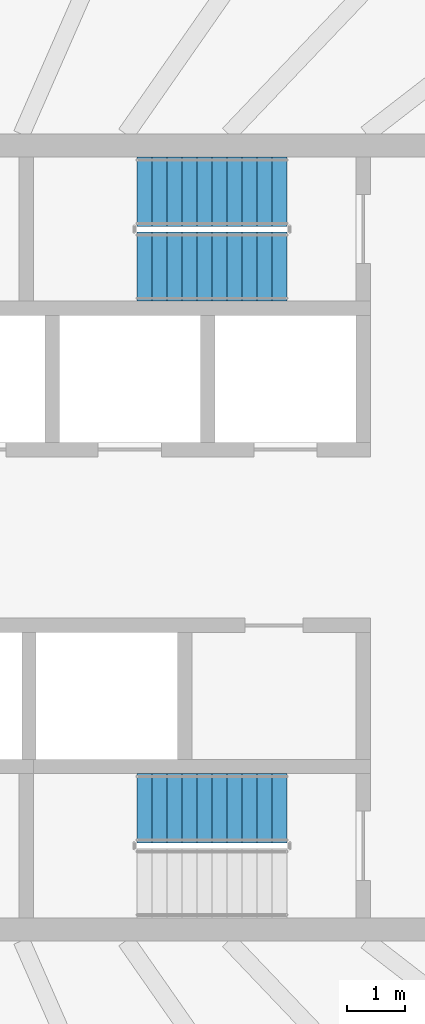
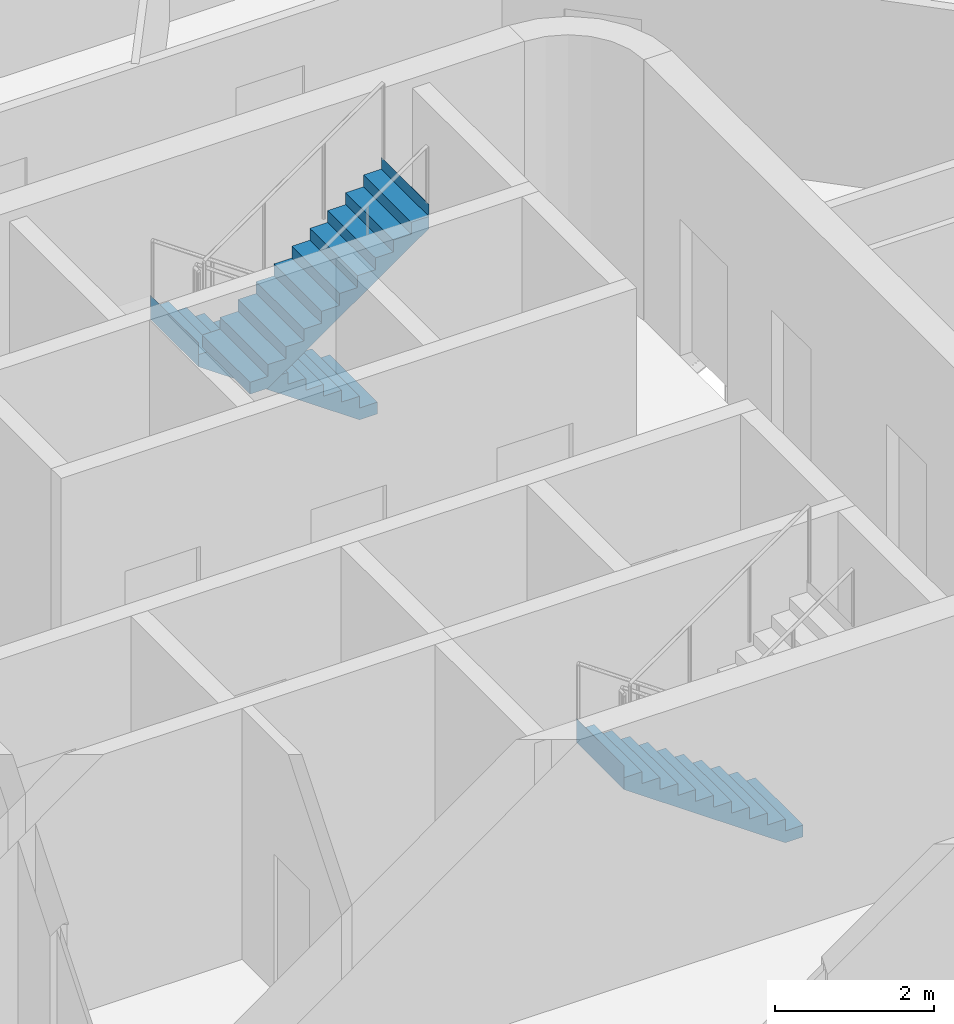
# One storey, part 15 of 20: 3 stair flights, 2 elements without a shape of their own.
"""IFC4 building model written with IfcOpenShell, lengths in metres."""

from ifc_helpers import new_model, si_unit, direction, frame, origin, place, context, subcontext, project, spatial, triangles, material, type_object, element, aggregate, save


model = new_model("IFC4")

# Units and contexts
model_context = context("Model", 3, precision=1e-05, world=origin(), true_north=direction((0.0, 1.0)))
body_context = subcontext(model_context, "Body", "Model", "MODEL_VIEW")
ifc_project = project(units=[si_unit("LENGTHUNIT", "METRE"), si_unit("AREAUNIT", "SQUARE_METRE"), si_unit("VOLUMEUNIT", "CUBIC_METRE"), si_unit("PLANEANGLEUNIT", "RADIAN"), si_unit("MASSUNIT", "GRAM", prefix="KILO")], contexts=[model_context])

# Site, building, storey
site_placement = place(None, origin())
site = spatial("IfcSite", under=ifc_project, at=site_placement, CompositionType="ELEMENT")
building_placement = place(site_placement, origin())
building = spatial("IfcBuilding", under=site, at=building_placement, Name="Sahrelin Media Tower", CompositionType="ELEMENT")
storey_placement = place(building_placement, frame((0.0, 0.0, 271.0)))
storey = spatial("IfcBuildingStorey", under=building, at=storey_placement, Name="L59", CompositionType="ELEMENT", Elevation=271.0)

# Stair, stair flights
ifc_material = material(Name="Concrete C40/50", Category="concrete")
stair_type = type_object("IfcStairType", Name="Exit stair 1200", PredefinedType="HALF_TURN_STAIR", material=ifc_material)
placement = place(storey_placement, origin())
stair_1 = element("IfcStair", 1, at=placement, inside=storey, type_object=stair_type, Name="L59 Exit stair ST3", PredefinedType="HALF_TURN_STAIR")
stair_flight_type = type_object("IfcStairFlightType", Name="Stair flight 1200", PredefinedType="STRAIGHT", material=ifc_material)
stair_flight_1_placement = place(storey_placement, frame((7.675048828125, 6.0, 0.0), z_axis=(0.0, 0.0, 1.0), x_axis=(-1.0, 0.0, 0.0)))
stair_flight_1 = element("IfcStairFlight", 2, at=stair_flight_1_placement, type_object=stair_flight_type, Name="ST3 flight 1", NumberOfRisers=11, NumberOfTreads=10, PredefinedType="STRAIGHT", RiserHeight=0.181818182, TreadLength=0.26, context=body_context, shape_type="Tessellation", body=[
    triangles([(0.261474609375, 0.60009765625, 0.0), (0.261474609375, 0.300048828125, 0.0), (0.261474609375, 0.0, 0.0), (0.261474609375, -0.300048828125, 0.0), (0.261474609375, -0.60009765625, 0.0), (2.60009765625, 0.60009765625, 1.63525390625), (2.60009765625, 0.300048828125, 1.63525390625), (2.60009765625, 0.0, 1.63525390625), (2.60009765625, -0.300048828125, 1.63525390625), (2.60009765625, -0.60009765625, 1.63525390625), (2.60009765625, 0.60009765625, 2.0), (2.60009765625, 0.300048828125, 2.0), (2.60009765625, 0.0, 2.0), (2.60009765625, -0.300048828125, 2.0), (2.60009765625, -0.60009765625, 2.0), (2.597900390625, 0.60009765625, 2.0), (2.597900390625, 0.300048828125, 2.0), (2.597900390625, 0.0, 2.0), (2.597900390625, -0.300048828125, 2.0), (2.597900390625, -0.60009765625, 2.0), (2.597900390625, 0.60009765625, 1.818115234375), (2.597900390625, 0.300048828125, 1.818115234375), (2.597900390625, 0.0, 1.818115234375), (2.597900390625, -0.300048828125, 1.818115234375), (2.597900390625, -0.60009765625, 1.818115234375), (2.340087890625, 0.60009765625, 1.818115234375), (2.340087890625, 0.300048828125, 1.818115234375), (2.340087890625, 0.0, 1.818115234375), (2.340087890625, -0.300048828125, 1.818115234375), (2.340087890625, -0.60009765625, 1.818115234375), (2.340087890625, 0.60009765625, 1.636474609375), (2.340087890625, 0.300048828125, 1.636474609375), (2.340087890625, 0.0, 1.636474609375), (2.340087890625, -0.300048828125, 1.636474609375), (2.340087890625, -0.60009765625, 1.636474609375), (2.080078125, 0.60009765625, 1.636474609375), (2.080078125, 0.300048828125, 1.636474609375), (2.080078125, 0.0, 1.636474609375), (2.080078125, -0.300048828125, 1.636474609375), (2.080078125, -0.60009765625, 1.636474609375), (2.080078125, 0.60009765625, 1.45458984375), (2.080078125, 0.300048828125, 1.45458984375), (2.080078125, 0.0, 1.45458984375), (2.080078125, -0.300048828125, 1.45458984375), (2.080078125, -0.60009765625, 1.45458984375), (1.820068359375, 0.60009765625, 1.45458984375), (1.820068359375, 0.300048828125, 1.45458984375), (1.820068359375, 0.0, 1.45458984375), (1.820068359375, -0.300048828125, 1.45458984375), (1.820068359375, -0.60009765625, 1.45458984375), (1.820068359375, 0.60009765625, 1.272705078125), (1.820068359375, 0.300048828125, 1.272705078125), (1.820068359375, 0.0, 1.272705078125), (1.820068359375, -0.300048828125, 1.272705078125), (1.820068359375, -0.60009765625, 1.272705078125), (1.56005859375, 0.60009765625, 1.272705078125), (1.56005859375, 0.300048828125, 1.272705078125), (1.56005859375, 0.0, 1.272705078125), (1.56005859375, -0.300048828125, 1.272705078125), (1.56005859375, -0.60009765625, 1.272705078125), (1.56005859375, 0.60009765625, 1.0908203125), (1.56005859375, 0.300048828125, 1.0908203125), (1.56005859375, 0.0, 1.0908203125), (1.56005859375, -0.300048828125, 1.0908203125), (1.56005859375, -0.60009765625, 1.0908203125), (1.300048828125, 0.60009765625, 1.0908203125), (1.300048828125, 0.300048828125, 1.0908203125), (1.300048828125, 0.0, 1.0908203125), (1.300048828125, -0.300048828125, 1.0908203125), (1.300048828125, -0.60009765625, 1.0908203125), (1.300048828125, 0.60009765625, 0.9091796875), (1.300048828125, 0.300048828125, 0.9091796875), (1.300048828125, 0.0, 0.9091796875), (1.300048828125, -0.300048828125, 0.9091796875), (1.300048828125, -0.60009765625, 0.9091796875), (1.0400390625, 0.60009765625, 0.9091796875), (1.0400390625, 0.300048828125, 0.9091796875), (1.0400390625, 0.0, 0.9091796875), (1.0400390625, -0.300048828125, 0.9091796875), (1.0400390625, -0.60009765625, 0.9091796875), (1.0400390625, 0.60009765625, 0.727294921875), (1.0400390625, 0.300048828125, 0.727294921875), (1.0400390625, 0.0, 0.727294921875), (1.0400390625, -0.300048828125, 0.727294921875), (1.0400390625, -0.60009765625, 0.727294921875), (0.780029296875, 0.60009765625, 0.727294921875), (0.780029296875, 0.300048828125, 0.727294921875), (0.780029296875, 0.0, 0.727294921875), (0.780029296875, -0.300048828125, 0.727294921875), (0.780029296875, -0.60009765625, 0.727294921875), (0.780029296875, 0.60009765625, 0.54541015625), (0.780029296875, 0.300048828125, 0.54541015625), (0.780029296875, 0.0, 0.54541015625), (0.780029296875, -0.300048828125, 0.54541015625), (0.780029296875, -0.60009765625, 0.54541015625), (0.52001953125, 0.60009765625, 0.54541015625), (0.52001953125, 0.300048828125, 0.54541015625), (0.52001953125, 0.0, 0.54541015625), (0.52001953125, -0.300048828125, 0.54541015625), (0.52001953125, -0.60009765625, 0.54541015625), (0.52001953125, 0.60009765625, 0.363525390625), (0.52001953125, 0.300048828125, 0.363525390625), (0.52001953125, 0.0, 0.363525390625), (0.52001953125, -0.300048828125, 0.363525390625), (0.52001953125, -0.60009765625, 0.363525390625), (0.260009765625, 0.60009765625, 0.363525390625), (0.260009765625, 0.300048828125, 0.363525390625), (0.260009765625, 0.0, 0.363525390625), (0.260009765625, -0.300048828125, 0.363525390625), (0.260009765625, -0.60009765625, 0.363525390625), (0.260009765625, 0.60009765625, 0.181884765625), (0.260009765625, 0.300048828125, 0.181884765625), (0.260009765625, 0.0, 0.181884765625), (0.260009765625, -0.300048828125, 0.181884765625), (0.260009765625, -0.60009765625, 0.181884765625), (0.0, 0.60009765625, 0.181884765625), (0.0, 0.300048828125, 0.181884765625), (0.0, 0.0, 0.181884765625), (0.0, -0.300048828125, 0.181884765625), (0.0, -0.60009765625, 0.181884765625), (0.0, 0.60009765625, 0.0), (0.0, 0.300048828125, 0.0), (0.0, 0.0, 0.0), (0.0, -0.300048828125, 0.0), (0.0, -0.60009765625, 0.0)], [[1, 6, 7], [1, 7, 2], [2, 7, 8], [2, 8, 3], [3, 8, 9], [3, 9, 4], [4, 9, 10], [4, 10, 5], [6, 11, 12], [6, 12, 7], [7, 12, 13], [7, 13, 8], [8, 13, 14], [8, 14, 9], [9, 14, 15], [9, 15, 10], [11, 16, 17], [11, 17, 12], [12, 17, 18], [12, 18, 13], [13, 18, 19], [13, 19, 14], [14, 19, 20], [14, 20, 15], [16, 21, 22], [16, 22, 17], [17, 22, 23], [17, 23, 18], [18, 23, 24], [18, 24, 19], [19, 24, 25], [19, 25, 20], [21, 26, 27], [21, 27, 22], [22, 27, 28], [22, 28, 23], [23, 28, 29], [23, 29, 24], [24, 29, 30], [24, 30, 25], [26, 31, 32], [26, 32, 27], [27, 32, 33], [27, 33, 28], [28, 33, 34], [28, 34, 29], [29, 34, 35], [29, 35, 30], [31, 36, 37], [31, 37, 32], [32, 37, 38], [32, 38, 33], [33, 38, 39], [33, 39, 34], [34, 39, 40], [34, 40, 35], [36, 41, 42], [36, 42, 37], [37, 42, 43], [37, 43, 38], [38, 43, 44], [38, 44, 39], [39, 44, 45], [39, 45, 40], [41, 46, 47], [41, 47, 42], [42, 47, 48], [42, 48, 43], [43, 48, 49], [43, 49, 44], [44, 49, 50], [44, 50, 45], [46, 51, 52], [46, 52, 47], [47, 52, 53], [47, 53, 48], [48, 53, 54], [48, 54, 49], [49, 54, 55], [49, 55, 50], [51, 56, 57], [51, 57, 52], [52, 57, 58], [52, 58, 53], [53, 58, 59], [53, 59, 54], [54, 59, 60], [54, 60, 55], [56, 61, 62], [56, 62, 57], [57, 62, 63], [57, 63, 58], [58, 63, 64], [58, 64, 59], [59, 64, 65], [59, 65, 60], [61, 66, 67], [61, 67, 62], [62, 67, 68], [62, 68, 63], [63, 68, 69], [63, 69, 64], [64, 69, 70], [64, 70, 65], [66, 71, 72], [66, 72, 67], [67, 72, 73], [67, 73, 68], [68, 73, 74], [68, 74, 69], [69, 74, 75], [69, 75, 70], [71, 76, 77], [71, 77, 72], [72, 77, 78], [72, 78, 73], [73, 78, 79], [73, 79, 74], [74, 79, 80], [74, 80, 75], [76, 81, 82], [76, 82, 77], [77, 82, 83], [77, 83, 78], [78, 83, 84], [78, 84, 79], [79, 84, 85], [79, 85, 80], [81, 86, 87], [81, 87, 82], [82, 87, 88], [82, 88, 83], [83, 88, 89], [83, 89, 84], [84, 89, 90], [84, 90, 85], [86, 91, 92], [86, 92, 87], [87, 92, 93], [87, 93, 88], [88, 93, 94], [88, 94, 89], [89, 94, 95], [89, 95, 90], [91, 96, 97], [91, 97, 92], [92, 97, 98], [92, 98, 93], [93, 98, 99], [93, 99, 94], [94, 99, 100], [94, 100, 95], [96, 101, 102], [96, 102, 97], [97, 102, 103], [97, 103, 98], [98, 103, 104], [98, 104, 99], [99, 104, 105], [99, 105, 100], [101, 106, 107], [101, 107, 102], [102, 107, 108], [102, 108, 103], [103, 108, 109], [103, 109, 104], [104, 109, 110], [104, 110, 105], [106, 111, 112], [106, 112, 107], [107, 112, 113], [107, 113, 108], [108, 113, 114], [108, 114, 109], [109, 114, 115], [109, 115, 110], [111, 116, 117], [111, 117, 112], [112, 117, 118], [112, 118, 113], [113, 118, 119], [113, 119, 114], [114, 119, 120], [114, 120, 115], [116, 121, 122], [116, 122, 117], [117, 122, 123], [117, 123, 118], [118, 123, 124], [118, 124, 119], [119, 124, 125], [119, 125, 120], [121, 1, 2], [121, 2, 122], [122, 2, 3], [122, 3, 123], [123, 3, 4], [123, 4, 124], [124, 4, 5], [124, 5, 125], [115, 120, 125], [111, 121, 116], [115, 105, 110], [111, 106, 101], [105, 95, 100], [101, 96, 91], [95, 85, 90], [91, 86, 81], [85, 75, 80], [81, 76, 71], [75, 65, 70], [71, 66, 61], [65, 55, 60], [61, 56, 51], [55, 45, 50], [51, 46, 41], [45, 35, 40], [41, 36, 31], [35, 25, 30], [31, 26, 21], [25, 15, 20], [21, 16, 11], [125, 5, 115], [121, 111, 1], [25, 10, 15], [21, 11, 6], [105, 115, 5], [101, 1, 111], [35, 10, 25], [31, 21, 6], [95, 105, 5], [91, 1, 101], [45, 10, 35], [41, 31, 6], [85, 95, 5], [81, 1, 91], [55, 10, 45], [51, 41, 6], [75, 85, 5], [71, 1, 81], [65, 10, 55], [61, 51, 6], [5, 10, 75], [1, 71, 6], [75, 10, 65], [71, 61, 6]], closed=True),
])
stair_flight_2_placement = place(storey_placement, frame((5.074951171875, 4.699951171875, 2.0), z_axis=(0.0, 0.0, 1.0), x_axis=(1.0, 0.0, 0.0)))
stair_flight_2 = element("IfcStairFlight", 3, at=stair_flight_2_placement, type_object=stair_flight_type, Name="ST3 flight 2", NumberOfRisers=11, NumberOfTreads=10, PredefinedType="STRAIGHT", RiserHeight=0.181818182, TreadLength=0.26, context=body_context, shape_type="Tessellation", body=[
    triangles([(0.261474609375, 0.60009765625, 0.0), (0.261474609375, 0.300048828125, 0.0), (0.261474609375, 0.0, 0.0), (0.261474609375, -0.300048828125, 0.0), (0.261474609375, -0.60009765625, 0.0), (2.60009765625, 0.60009765625, 1.63525390625), (2.60009765625, 0.300048828125, 1.63525390625), (2.60009765625, 0.0, 1.63525390625), (2.60009765625, -0.300048828125, 1.63525390625), (2.60009765625, -0.60009765625, 1.63525390625), (2.60009765625, 0.60009765625, 2.0), (2.60009765625, 0.300048828125, 2.0), (2.60009765625, 0.0, 2.0), (2.60009765625, -0.300048828125, 2.0), (2.60009765625, -0.60009765625, 2.0), (2.597900390625, 0.60009765625, 2.0), (2.597900390625, 0.300048828125, 2.0), (2.597900390625, 0.0, 2.0), (2.597900390625, -0.300048828125, 2.0), (2.597900390625, -0.60009765625, 2.0), (2.597900390625, 0.60009765625, 1.818115234375), (2.597900390625, 0.300048828125, 1.818115234375), (2.597900390625, 0.0, 1.818115234375), (2.597900390625, -0.300048828125, 1.818115234375), (2.597900390625, -0.60009765625, 1.818115234375), (2.340087890625, 0.60009765625, 1.818115234375), (2.340087890625, 0.300048828125, 1.818115234375), (2.340087890625, 0.0, 1.818115234375), (2.340087890625, -0.300048828125, 1.818115234375), (2.340087890625, -0.60009765625, 1.818115234375), (2.340087890625, 0.60009765625, 1.636474609375), (2.340087890625, 0.300048828125, 1.636474609375), (2.340087890625, 0.0, 1.636474609375), (2.340087890625, -0.300048828125, 1.636474609375), (2.340087890625, -0.60009765625, 1.636474609375), (2.080078125, 0.60009765625, 1.636474609375), (2.080078125, 0.300048828125, 1.636474609375), (2.080078125, 0.0, 1.636474609375), (2.080078125, -0.300048828125, 1.636474609375), (2.080078125, -0.60009765625, 1.636474609375), (2.080078125, 0.60009765625, 1.45458984375), (2.080078125, 0.300048828125, 1.45458984375), (2.080078125, 0.0, 1.45458984375), (2.080078125, -0.300048828125, 1.45458984375), (2.080078125, -0.60009765625, 1.45458984375), (1.820068359375, 0.60009765625, 1.45458984375), (1.820068359375, 0.300048828125, 1.45458984375), (1.820068359375, 0.0, 1.45458984375), (1.820068359375, -0.300048828125, 1.45458984375), (1.820068359375, -0.60009765625, 1.45458984375), (1.820068359375, 0.60009765625, 1.272705078125), (1.820068359375, 0.300048828125, 1.272705078125), (1.820068359375, 0.0, 1.272705078125), (1.820068359375, -0.300048828125, 1.272705078125), (1.820068359375, -0.60009765625, 1.272705078125), (1.56005859375, 0.60009765625, 1.272705078125), (1.56005859375, 0.300048828125, 1.272705078125), (1.56005859375, 0.0, 1.272705078125), (1.56005859375, -0.300048828125, 1.272705078125), (1.56005859375, -0.60009765625, 1.272705078125), (1.56005859375, 0.60009765625, 1.0908203125), (1.56005859375, 0.300048828125, 1.0908203125), (1.56005859375, 0.0, 1.0908203125), (1.56005859375, -0.300048828125, 1.0908203125), (1.56005859375, -0.60009765625, 1.0908203125), (1.300048828125, 0.60009765625, 1.0908203125), (1.300048828125, 0.300048828125, 1.0908203125), (1.300048828125, 0.0, 1.0908203125), (1.300048828125, -0.300048828125, 1.0908203125), (1.300048828125, -0.60009765625, 1.0908203125), (1.300048828125, 0.60009765625, 0.9091796875), (1.300048828125, 0.300048828125, 0.9091796875), (1.300048828125, 0.0, 0.9091796875), (1.300048828125, -0.300048828125, 0.9091796875), (1.300048828125, -0.60009765625, 0.9091796875), (1.0400390625, 0.60009765625, 0.9091796875), (1.0400390625, 0.300048828125, 0.9091796875), (1.0400390625, 0.0, 0.9091796875), (1.0400390625, -0.300048828125, 0.9091796875), (1.0400390625, -0.60009765625, 0.9091796875), (1.0400390625, 0.60009765625, 0.727294921875), (1.0400390625, 0.300048828125, 0.727294921875), (1.0400390625, 0.0, 0.727294921875), (1.0400390625, -0.300048828125, 0.727294921875), (1.0400390625, -0.60009765625, 0.727294921875), (0.780029296875, 0.60009765625, 0.727294921875), (0.780029296875, 0.300048828125, 0.727294921875), (0.780029296875, 0.0, 0.727294921875), (0.780029296875, -0.300048828125, 0.727294921875), (0.780029296875, -0.60009765625, 0.727294921875), (0.780029296875, 0.60009765625, 0.54541015625), (0.780029296875, 0.300048828125, 0.54541015625), (0.780029296875, 0.0, 0.54541015625), (0.780029296875, -0.300048828125, 0.54541015625), (0.780029296875, -0.60009765625, 0.54541015625), (0.52001953125, 0.60009765625, 0.54541015625), (0.52001953125, 0.300048828125, 0.54541015625), (0.52001953125, 0.0, 0.54541015625), (0.52001953125, -0.300048828125, 0.54541015625), (0.52001953125, -0.60009765625, 0.54541015625), (0.52001953125, 0.60009765625, 0.363525390625), (0.52001953125, 0.300048828125, 0.363525390625), (0.52001953125, 0.0, 0.363525390625), (0.52001953125, -0.300048828125, 0.363525390625), (0.52001953125, -0.60009765625, 0.363525390625), (0.260009765625, 0.60009765625, 0.363525390625), (0.260009765625, 0.300048828125, 0.363525390625), (0.260009765625, 0.0, 0.363525390625), (0.260009765625, -0.300048828125, 0.363525390625), (0.260009765625, -0.60009765625, 0.363525390625), (0.260009765625, 0.60009765625, 0.181884765625), (0.260009765625, 0.300048828125, 0.181884765625), (0.260009765625, 0.0, 0.181884765625), (0.260009765625, -0.300048828125, 0.181884765625), (0.260009765625, -0.60009765625, 0.181884765625), (0.0, 0.60009765625, 0.181884765625), (0.0, 0.300048828125, 0.181884765625), (0.0, 0.0, 0.181884765625), (0.0, -0.300048828125, 0.181884765625), (0.0, -0.60009765625, 0.181884765625), (0.0, 0.60009765625, 0.0), (0.0, 0.300048828125, 0.0), (0.0, 0.0, 0.0), (0.0, -0.300048828125, 0.0), (0.0, -0.60009765625, 0.0)], [[1, 6, 7], [1, 7, 2], [2, 7, 8], [2, 8, 3], [3, 8, 9], [3, 9, 4], [4, 9, 10], [4, 10, 5], [6, 11, 12], [6, 12, 7], [7, 12, 13], [7, 13, 8], [8, 13, 14], [8, 14, 9], [9, 14, 15], [9, 15, 10], [11, 16, 17], [11, 17, 12], [12, 17, 18], [12, 18, 13], [13, 18, 19], [13, 19, 14], [14, 19, 20], [14, 20, 15], [16, 21, 22], [16, 22, 17], [17, 22, 23], [17, 23, 18], [18, 23, 24], [18, 24, 19], [19, 24, 25], [19, 25, 20], [21, 26, 27], [21, 27, 22], [22, 27, 28], [22, 28, 23], [23, 28, 29], [23, 29, 24], [24, 29, 30], [24, 30, 25], [26, 31, 32], [26, 32, 27], [27, 32, 33], [27, 33, 28], [28, 33, 34], [28, 34, 29], [29, 34, 35], [29, 35, 30], [31, 36, 37], [31, 37, 32], [32, 37, 38], [32, 38, 33], [33, 38, 39], [33, 39, 34], [34, 39, 40], [34, 40, 35], [36, 41, 42], [36, 42, 37], [37, 42, 43], [37, 43, 38], [38, 43, 44], [38, 44, 39], [39, 44, 45], [39, 45, 40], [41, 46, 47], [41, 47, 42], [42, 47, 48], [42, 48, 43], [43, 48, 49], [43, 49, 44], [44, 49, 50], [44, 50, 45], [46, 51, 52], [46, 52, 47], [47, 52, 53], [47, 53, 48], [48, 53, 54], [48, 54, 49], [49, 54, 55], [49, 55, 50], [51, 56, 57], [51, 57, 52], [52, 57, 58], [52, 58, 53], [53, 58, 59], [53, 59, 54], [54, 59, 60], [54, 60, 55], [56, 61, 62], [56, 62, 57], [57, 62, 63], [57, 63, 58], [58, 63, 64], [58, 64, 59], [59, 64, 65], [59, 65, 60], [61, 66, 67], [61, 67, 62], [62, 67, 68], [62, 68, 63], [63, 68, 69], [63, 69, 64], [64, 69, 70], [64, 70, 65], [66, 71, 72], [66, 72, 67], [67, 72, 73], [67, 73, 68], [68, 73, 74], [68, 74, 69], [69, 74, 75], [69, 75, 70], [71, 76, 77], [71, 77, 72], [72, 77, 78], [72, 78, 73], [73, 78, 79], [73, 79, 74], [74, 79, 80], [74, 80, 75], [76, 81, 82], [76, 82, 77], [77, 82, 83], [77, 83, 78], [78, 83, 84], [78, 84, 79], [79, 84, 85], [79, 85, 80], [81, 86, 87], [81, 87, 82], [82, 87, 88], [82, 88, 83], [83, 88, 89], [83, 89, 84], [84, 89, 90], [84, 90, 85], [86, 91, 92], [86, 92, 87], [87, 92, 93], [87, 93, 88], [88, 93, 94], [88, 94, 89], [89, 94, 95], [89, 95, 90], [91, 96, 97], [91, 97, 92], [92, 97, 98], [92, 98, 93], [93, 98, 99], [93, 99, 94], [94, 99, 100], [94, 100, 95], [96, 101, 102], [96, 102, 97], [97, 102, 103], [97, 103, 98], [98, 103, 104], [98, 104, 99], [99, 104, 105], [99, 105, 100], [101, 106, 107], [101, 107, 102], [102, 107, 108], [102, 108, 103], [103, 108, 109], [103, 109, 104], [104, 109, 110], [104, 110, 105], [106, 111, 112], [106, 112, 107], [107, 112, 113], [107, 113, 108], [108, 113, 114], [108, 114, 109], [109, 114, 115], [109, 115, 110], [111, 116, 117], [111, 117, 112], [112, 117, 118], [112, 118, 113], [113, 118, 119], [113, 119, 114], [114, 119, 120], [114, 120, 115], [116, 121, 122], [116, 122, 117], [117, 122, 123], [117, 123, 118], [118, 123, 124], [118, 124, 119], [119, 124, 125], [119, 125, 120], [121, 1, 2], [121, 2, 122], [122, 2, 3], [122, 3, 123], [123, 3, 4], [123, 4, 124], [124, 4, 5], [124, 5, 125], [115, 120, 125], [111, 121, 116], [115, 105, 110], [111, 106, 101], [105, 95, 100], [101, 96, 91], [95, 85, 90], [91, 86, 81], [85, 75, 80], [81, 76, 71], [75, 65, 70], [71, 66, 61], [65, 55, 60], [61, 56, 51], [55, 45, 50], [51, 46, 41], [45, 35, 40], [41, 36, 31], [35, 25, 30], [31, 26, 21], [25, 15, 20], [21, 16, 11], [125, 5, 115], [121, 111, 1], [25, 10, 15], [21, 11, 6], [105, 115, 5], [101, 1, 111], [35, 10, 25], [31, 21, 6], [95, 105, 5], [91, 1, 101], [45, 10, 35], [41, 31, 6], [85, 95, 5], [81, 1, 91], [55, 10, 45], [51, 41, 6], [75, 85, 5], [71, 1, 81], [65, 10, 55], [61, 51, 6], [5, 10, 75], [1, 71, 6], [75, 10, 65], [71, 61, 6]], closed=True),
])
aggregate(stair_1, [stair_flight_1, stair_flight_2])

# Stair, stair flight
stair_2 = element("IfcStair", 4, at=placement, inside=storey, type_object=stair_type, Name="L59 Exit stair ST2", PredefinedType="HALF_TURN_STAIR")
stair_flight_3_placement = place(storey_placement, frame((7.675048828125, -4.699951171875, 0.0), z_axis=(0.0, 0.0, 1.0), x_axis=(-1.0, 0.0, 0.0)))
stair_flight_3 = element("IfcStairFlight", 5, at=stair_flight_3_placement, type_object=stair_flight_type, Name="ST2 flight 1", NumberOfRisers=11, NumberOfTreads=10, PredefinedType="STRAIGHT", RiserHeight=0.181818182, TreadLength=0.26, context=body_context, shape_type="Tessellation", body=[
    triangles([(0.261474609375, 0.60009765625, 0.0), (0.261474609375, 0.300048828125, 0.0), (0.261474609375, 0.0, 0.0), (0.261474609375, -0.300048828125, 0.0), (0.261474609375, -0.60009765625, 0.0), (2.60009765625, 0.60009765625, 1.63525390625), (2.60009765625, 0.300048828125, 1.63525390625), (2.60009765625, 0.0, 1.63525390625), (2.60009765625, -0.300048828125, 1.63525390625), (2.60009765625, -0.60009765625, 1.63525390625), (2.60009765625, 0.60009765625, 2.0), (2.60009765625, 0.300048828125, 2.0), (2.60009765625, 0.0, 2.0), (2.60009765625, -0.300048828125, 2.0), (2.60009765625, -0.60009765625, 2.0), (2.597900390625, 0.60009765625, 2.0), (2.597900390625, 0.300048828125, 2.0), (2.597900390625, 0.0, 2.0), (2.597900390625, -0.300048828125, 2.0), (2.597900390625, -0.60009765625, 2.0), (2.597900390625, 0.60009765625, 1.818115234375), (2.597900390625, 0.300048828125, 1.818115234375), (2.597900390625, 0.0, 1.818115234375), (2.597900390625, -0.300048828125, 1.818115234375), (2.597900390625, -0.60009765625, 1.818115234375), (2.340087890625, 0.60009765625, 1.818115234375), (2.340087890625, 0.300048828125, 1.818115234375), (2.340087890625, 0.0, 1.818115234375), (2.340087890625, -0.300048828125, 1.818115234375), (2.340087890625, -0.60009765625, 1.818115234375), (2.340087890625, 0.60009765625, 1.636474609375), (2.340087890625, 0.300048828125, 1.636474609375), (2.340087890625, 0.0, 1.636474609375), (2.340087890625, -0.300048828125, 1.636474609375), (2.340087890625, -0.60009765625, 1.636474609375), (2.080078125, 0.60009765625, 1.636474609375), (2.080078125, 0.300048828125, 1.636474609375), (2.080078125, 0.0, 1.636474609375), (2.080078125, -0.300048828125, 1.636474609375), (2.080078125, -0.60009765625, 1.636474609375), (2.080078125, 0.60009765625, 1.45458984375), (2.080078125, 0.300048828125, 1.45458984375), (2.080078125, 0.0, 1.45458984375), (2.080078125, -0.300048828125, 1.45458984375), (2.080078125, -0.60009765625, 1.45458984375), (1.820068359375, 0.60009765625, 1.45458984375), (1.820068359375, 0.300048828125, 1.45458984375), (1.820068359375, 0.0, 1.45458984375), (1.820068359375, -0.300048828125, 1.45458984375), (1.820068359375, -0.60009765625, 1.45458984375), (1.820068359375, 0.60009765625, 1.272705078125), (1.820068359375, 0.300048828125, 1.272705078125), (1.820068359375, 0.0, 1.272705078125), (1.820068359375, -0.300048828125, 1.272705078125), (1.820068359375, -0.60009765625, 1.272705078125), (1.56005859375, 0.60009765625, 1.272705078125), (1.56005859375, 0.300048828125, 1.272705078125), (1.56005859375, 0.0, 1.272705078125), (1.56005859375, -0.300048828125, 1.272705078125), (1.56005859375, -0.60009765625, 1.272705078125), (1.56005859375, 0.60009765625, 1.0908203125), (1.56005859375, 0.300048828125, 1.0908203125), (1.56005859375, 0.0, 1.0908203125), (1.56005859375, -0.300048828125, 1.0908203125), (1.56005859375, -0.60009765625, 1.0908203125), (1.300048828125, 0.60009765625, 1.0908203125), (1.300048828125, 0.300048828125, 1.0908203125), (1.300048828125, 0.0, 1.0908203125), (1.300048828125, -0.300048828125, 1.0908203125), (1.300048828125, -0.60009765625, 1.0908203125), (1.300048828125, 0.60009765625, 0.9091796875), (1.300048828125, 0.300048828125, 0.9091796875), (1.300048828125, 0.0, 0.9091796875), (1.300048828125, -0.300048828125, 0.9091796875), (1.300048828125, -0.60009765625, 0.9091796875), (1.0400390625, 0.60009765625, 0.9091796875), (1.0400390625, 0.300048828125, 0.9091796875), (1.0400390625, 0.0, 0.9091796875), (1.0400390625, -0.300048828125, 0.9091796875), (1.0400390625, -0.60009765625, 0.9091796875), (1.0400390625, 0.60009765625, 0.727294921875), (1.0400390625, 0.300048828125, 0.727294921875), (1.0400390625, 0.0, 0.727294921875), (1.0400390625, -0.300048828125, 0.727294921875), (1.0400390625, -0.60009765625, 0.727294921875), (0.780029296875, 0.60009765625, 0.727294921875), (0.780029296875, 0.300048828125, 0.727294921875), (0.780029296875, 0.0, 0.727294921875), (0.780029296875, -0.300048828125, 0.727294921875), (0.780029296875, -0.60009765625, 0.727294921875), (0.780029296875, 0.60009765625, 0.54541015625), (0.780029296875, 0.300048828125, 0.54541015625), (0.780029296875, 0.0, 0.54541015625), (0.780029296875, -0.300048828125, 0.54541015625), (0.780029296875, -0.60009765625, 0.54541015625), (0.52001953125, 0.60009765625, 0.54541015625), (0.52001953125, 0.300048828125, 0.54541015625), (0.52001953125, 0.0, 0.54541015625), (0.52001953125, -0.300048828125, 0.54541015625), (0.52001953125, -0.60009765625, 0.54541015625), (0.52001953125, 0.60009765625, 0.363525390625), (0.52001953125, 0.300048828125, 0.363525390625), (0.52001953125, 0.0, 0.363525390625), (0.52001953125, -0.300048828125, 0.363525390625), (0.52001953125, -0.60009765625, 0.363525390625), (0.260009765625, 0.60009765625, 0.363525390625), (0.260009765625, 0.300048828125, 0.363525390625), (0.260009765625, 0.0, 0.363525390625), (0.260009765625, -0.300048828125, 0.363525390625), (0.260009765625, -0.60009765625, 0.363525390625), (0.260009765625, 0.60009765625, 0.181884765625), (0.260009765625, 0.300048828125, 0.181884765625), (0.260009765625, 0.0, 0.181884765625), (0.260009765625, -0.300048828125, 0.181884765625), (0.260009765625, -0.60009765625, 0.181884765625), (0.0, 0.60009765625, 0.181884765625), (0.0, 0.300048828125, 0.181884765625), (0.0, 0.0, 0.181884765625), (0.0, -0.300048828125, 0.181884765625), (0.0, -0.60009765625, 0.181884765625), (0.0, 0.60009765625, 0.0), (0.0, 0.300048828125, 0.0), (0.0, 0.0, 0.0), (0.0, -0.300048828125, 0.0), (0.0, -0.60009765625, 0.0)], [[1, 6, 7], [1, 7, 2], [2, 7, 8], [2, 8, 3], [3, 8, 9], [3, 9, 4], [4, 9, 10], [4, 10, 5], [6, 11, 12], [6, 12, 7], [7, 12, 13], [7, 13, 8], [8, 13, 14], [8, 14, 9], [9, 14, 15], [9, 15, 10], [11, 16, 17], [11, 17, 12], [12, 17, 18], [12, 18, 13], [13, 18, 19], [13, 19, 14], [14, 19, 20], [14, 20, 15], [16, 21, 22], [16, 22, 17], [17, 22, 23], [17, 23, 18], [18, 23, 24], [18, 24, 19], [19, 24, 25], [19, 25, 20], [21, 26, 27], [21, 27, 22], [22, 27, 28], [22, 28, 23], [23, 28, 29], [23, 29, 24], [24, 29, 30], [24, 30, 25], [26, 31, 32], [26, 32, 27], [27, 32, 33], [27, 33, 28], [28, 33, 34], [28, 34, 29], [29, 34, 35], [29, 35, 30], [31, 36, 37], [31, 37, 32], [32, 37, 38], [32, 38, 33], [33, 38, 39], [33, 39, 34], [34, 39, 40], [34, 40, 35], [36, 41, 42], [36, 42, 37], [37, 42, 43], [37, 43, 38], [38, 43, 44], [38, 44, 39], [39, 44, 45], [39, 45, 40], [41, 46, 47], [41, 47, 42], [42, 47, 48], [42, 48, 43], [43, 48, 49], [43, 49, 44], [44, 49, 50], [44, 50, 45], [46, 51, 52], [46, 52, 47], [47, 52, 53], [47, 53, 48], [48, 53, 54], [48, 54, 49], [49, 54, 55], [49, 55, 50], [51, 56, 57], [51, 57, 52], [52, 57, 58], [52, 58, 53], [53, 58, 59], [53, 59, 54], [54, 59, 60], [54, 60, 55], [56, 61, 62], [56, 62, 57], [57, 62, 63], [57, 63, 58], [58, 63, 64], [58, 64, 59], [59, 64, 65], [59, 65, 60], [61, 66, 67], [61, 67, 62], [62, 67, 68], [62, 68, 63], [63, 68, 69], [63, 69, 64], [64, 69, 70], [64, 70, 65], [66, 71, 72], [66, 72, 67], [67, 72, 73], [67, 73, 68], [68, 73, 74], [68, 74, 69], [69, 74, 75], [69, 75, 70], [71, 76, 77], [71, 77, 72], [72, 77, 78], [72, 78, 73], [73, 78, 79], [73, 79, 74], [74, 79, 80], [74, 80, 75], [76, 81, 82], [76, 82, 77], [77, 82, 83], [77, 83, 78], [78, 83, 84], [78, 84, 79], [79, 84, 85], [79, 85, 80], [81, 86, 87], [81, 87, 82], [82, 87, 88], [82, 88, 83], [83, 88, 89], [83, 89, 84], [84, 89, 90], [84, 90, 85], [86, 91, 92], [86, 92, 87], [87, 92, 93], [87, 93, 88], [88, 93, 94], [88, 94, 89], [89, 94, 95], [89, 95, 90], [91, 96, 97], [91, 97, 92], [92, 97, 98], [92, 98, 93], [93, 98, 99], [93, 99, 94], [94, 99, 100], [94, 100, 95], [96, 101, 102], [96, 102, 97], [97, 102, 103], [97, 103, 98], [98, 103, 104], [98, 104, 99], [99, 104, 105], [99, 105, 100], [101, 106, 107], [101, 107, 102], [102, 107, 108], [102, 108, 103], [103, 108, 109], [103, 109, 104], [104, 109, 110], [104, 110, 105], [106, 111, 112], [106, 112, 107], [107, 112, 113], [107, 113, 108], [108, 113, 114], [108, 114, 109], [109, 114, 115], [109, 115, 110], [111, 116, 117], [111, 117, 112], [112, 117, 118], [112, 118, 113], [113, 118, 119], [113, 119, 114], [114, 119, 120], [114, 120, 115], [116, 121, 122], [116, 122, 117], [117, 122, 123], [117, 123, 118], [118, 123, 124], [118, 124, 119], [119, 124, 125], [119, 125, 120], [121, 1, 2], [121, 2, 122], [122, 2, 3], [122, 3, 123], [123, 3, 4], [123, 4, 124], [124, 4, 5], [124, 5, 125], [115, 120, 125], [111, 121, 116], [115, 105, 110], [111, 106, 101], [105, 95, 100], [101, 96, 91], [95, 85, 90], [91, 86, 81], [85, 75, 80], [81, 76, 71], [75, 65, 70], [71, 66, 61], [65, 55, 60], [61, 56, 51], [55, 45, 50], [51, 46, 41], [45, 35, 40], [41, 36, 31], [35, 25, 30], [31, 26, 21], [25, 15, 20], [21, 16, 11], [125, 5, 115], [121, 111, 1], [25, 10, 15], [21, 11, 6], [105, 115, 5], [101, 1, 111], [35, 10, 25], [31, 21, 6], [95, 105, 5], [91, 1, 101], [45, 10, 35], [41, 31, 6], [85, 95, 5], [81, 1, 91], [55, 10, 45], [51, 41, 6], [75, 85, 5], [71, 1, 81], [65, 10, 55], [61, 51, 6], [5, 10, 75], [1, 71, 6], [75, 10, 65], [71, 61, 6]], closed=True),
])
aggregate(stair_2, [stair_flight_3])

save(model, "model.ifc")
